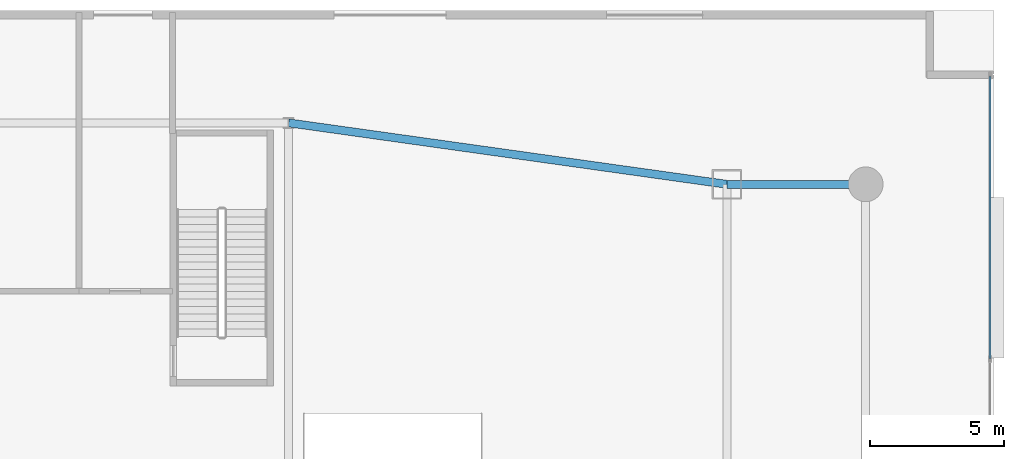
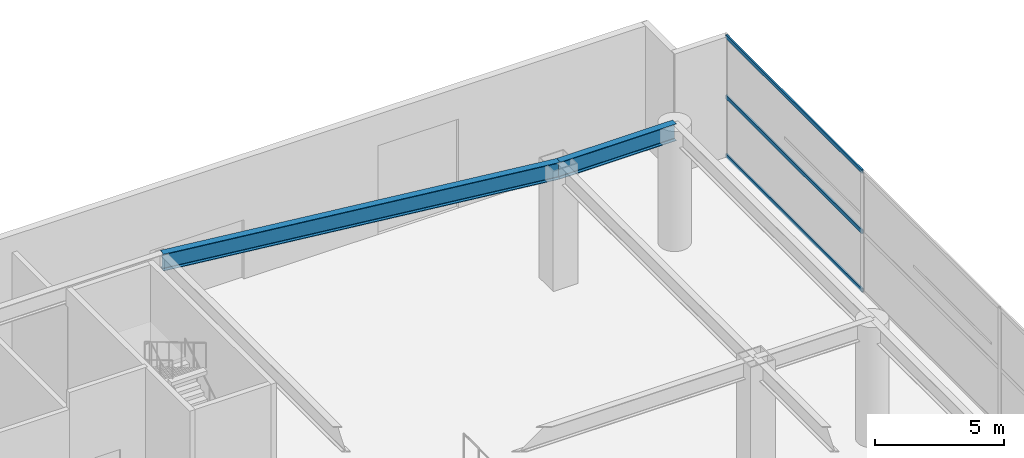
# One storey, part 9 of 20: 3 members, 2 beams, 1 element without a shape of its own.
"""IFC4 building model written with IfcOpenShell, lengths in metres."""

from ifc_helpers import new_model, si_unit, direction, frame, origin, origin_2d, place, context, subcontext, project, spatial, hollow_rectangle, i_section, extrude, material, layer, layer_set, material_profile, profile_set, type_object, element, aggregate, save


model = new_model("IFC4")

# Units and contexts
model_context = context("Model", 3, precision=1e-05, world=origin(), true_north=direction((0.0, 1.0)))
body_context = subcontext(model_context, "Body", "Model", "MODEL_VIEW")
ifc_project = project(units=[si_unit("LENGTHUNIT", "METRE"), si_unit("AREAUNIT", "SQUARE_METRE"), si_unit("VOLUMEUNIT", "CUBIC_METRE"), si_unit("PLANEANGLEUNIT", "RADIAN"), si_unit("MASSUNIT", "GRAM", prefix="KILO")], contexts=[model_context])

# Site, building, storey
site_placement = place(None, origin())
site = spatial("IfcSite", under=ifc_project, at=site_placement, CompositionType="ELEMENT")
building_placement = place(site_placement, origin())
building = spatial("IfcBuilding", under=site, at=building_placement, Name="Calvorn Quay Hotel", CompositionType="ELEMENT")
storey_placement = place(building_placement, origin())
storey = spatial("IfcBuildingStorey", under=building, at=storey_placement, Name="L00", CompositionType="ELEMENT", Elevation=0.0)

# Beams
ifc_material_1 = material(Name="Steel Q390GJC", Category="steel")
ifc_material_profile_1 = material_profile(ifc_material_1, i_section(OverallWidth=0.300048828125, OverallDepth=0.800048828125, WebThickness=0.013916015625, FlangeThickness=0.02587890625, FilletRadius=0.02392578125, at=origin_2d()), Name="HN800x300x14x26")
ifc_profile_set_1 = profile_set([ifc_material_profile_1], Name="Steel Q390GJC")
beam_type = type_object("IfcBeamType", Name="BM-GIRD-POD", PredefinedType="BEAM", material=ifc_profile_set_1)
beam_1_placement = place(storey_placement, frame((57.60009765625, 53.800048828125, 5.280029296875), z_axis=(0.990308033684, -0.138888438761, 0.0), x_axis=(0.138888438761, 0.990308033684, 0.0)))
element("IfcBeam", 1, at=beam_1_placement, inside=storey, type_object=beam_type, Name="Beam BG-L00-PN7", PredefinedType="BEAM", context=body_context, shape_type="SweptSolid", body=[
    extrude(i_section(OverallWidth=0.300048828125, OverallDepth=0.800048828125, WebThickness=0.013916015625, FlangeThickness=0.02587890625, FilletRadius=0.02392578125, at=origin_2d()), origin(), (0.0, 0.0, 1.0), 16.560302734375),
])
beam_2_placement = place(storey_placement, frame((74.0, 51.5, 5.280029296875), z_axis=(1.0, 0.0, 0.0), x_axis=(0.0, 1.0, 0.0)))
element("IfcBeam", 2, at=beam_2_placement, inside=storey, type_object=beam_type, Name="Beam BG-L00-EQ5", PredefinedType="BEAM", context=body_context, shape_type="SweptSolid", body=[
    extrude(i_section(OverallWidth=0.300048828125, OverallDepth=0.800048828125, WebThickness=0.013916015625, FlangeThickness=0.02587890625, FilletRadius=0.02392578125, at=origin_2d()), origin(), (0.0, 0.0, 1.0), 5.199951171875),
])

# Curtain wall, members
ifc_material_2 = material(Name="Pale Anodised Aluminium and Low-E Glass", Category="aluminium")
ifc_layer = layer(ifc_material_2, 0.219970703125)
ifc_layer_set = layer_set([ifc_layer], Name="CW-SYS-POD")
curtain_wall_type = type_object("IfcCurtainWallType", Name="CW-SYS-POD", PredefinedType="NOTDEFINED", material=ifc_layer_set)
curtain_wall_placement = place(storey_placement, origin())
curtain_wall = element("IfcCurtainWall", 3, at=curtain_wall_placement, inside=storey, type_object=curtain_wall_type, Name="L00 Waterfront Promenade Curtain Wall", PredefinedType="NOTDEFINED")
ifc_material_3 = material(Name="Pale Anodised Aluminium 6063-T6", Category="aluminium")
ifc_material_profile_2 = material_profile(ifc_material_3, hollow_rectangle(XDim=0.070068359375, YDim=0.179931640625, WallThickness=0.00390625, at=origin_2d()), Name="ALU-T180x70x4")
ifc_profile_set_2 = profile_set([ifc_material_profile_2], Name="Pale Anodised Aluminium 6063-T6")
member_type = type_object("IfcMemberType", Name="CW-SYS-POD-TRN", PredefinedType="USERDEFINED", material=ifc_profile_set_2)
member_1_placement = place(storey_placement, frame((83.85009765625, 44.989990234375, 0.030029296875), z_axis=(0.0, 1.0, 0.0), x_axis=(-1.0, 0.0, 0.0)))
member_1 = element("IfcMember", 4, at=member_1_placement, type_object=member_type, Name="CW-L00-E1 transom 5.1", ObjectType="TRANSOM", PredefinedType="USERDEFINED", context=body_context, shape_type="SweptSolid", body=[
    extrude(hollow_rectangle(XDim=0.070068359375, YDim=0.179931640625, WallThickness=0.00390625, at=origin_2d()), origin(), (0.0, 0.0, 1.0), 10.550048828125),
])
member_2_placement = place(storey_placement, frame((83.85009765625, 44.989990234375, 2.800048828125), z_axis=(0.0, 1.0, 0.0), x_axis=(-1.0, 0.0, 0.0)))
member_2 = element("IfcMember", 5, at=member_2_placement, type_object=member_type, Name="CW-L00-E1 transom 5.2", ObjectType="TRANSOM", PredefinedType="USERDEFINED", context=body_context, shape_type="SweptSolid", body=[
    extrude(hollow_rectangle(XDim=0.070068359375, YDim=0.179931640625, WallThickness=0.00390625, at=origin_2d()), origin(), (0.0, 0.0, 1.0), 10.550048828125),
])
member_3_placement = place(storey_placement, frame((83.85009765625, 44.989990234375, 5.64990234375), z_axis=(0.0, 1.0, 0.0), x_axis=(-1.0, 0.0, 0.0)))
member_3 = element("IfcMember", 6, at=member_3_placement, type_object=member_type, Name="CW-L00-E1 transom 5.3", ObjectType="TRANSOM", PredefinedType="USERDEFINED", context=body_context, shape_type="SweptSolid", body=[
    extrude(hollow_rectangle(XDim=0.070068359375, YDim=0.179931640625, WallThickness=0.00390625, at=origin_2d()), origin(), (0.0, 0.0, 1.0), 10.550048828125),
])
aggregate(curtain_wall, [member_1, member_2, member_3])

save(model, "model.ifc")
